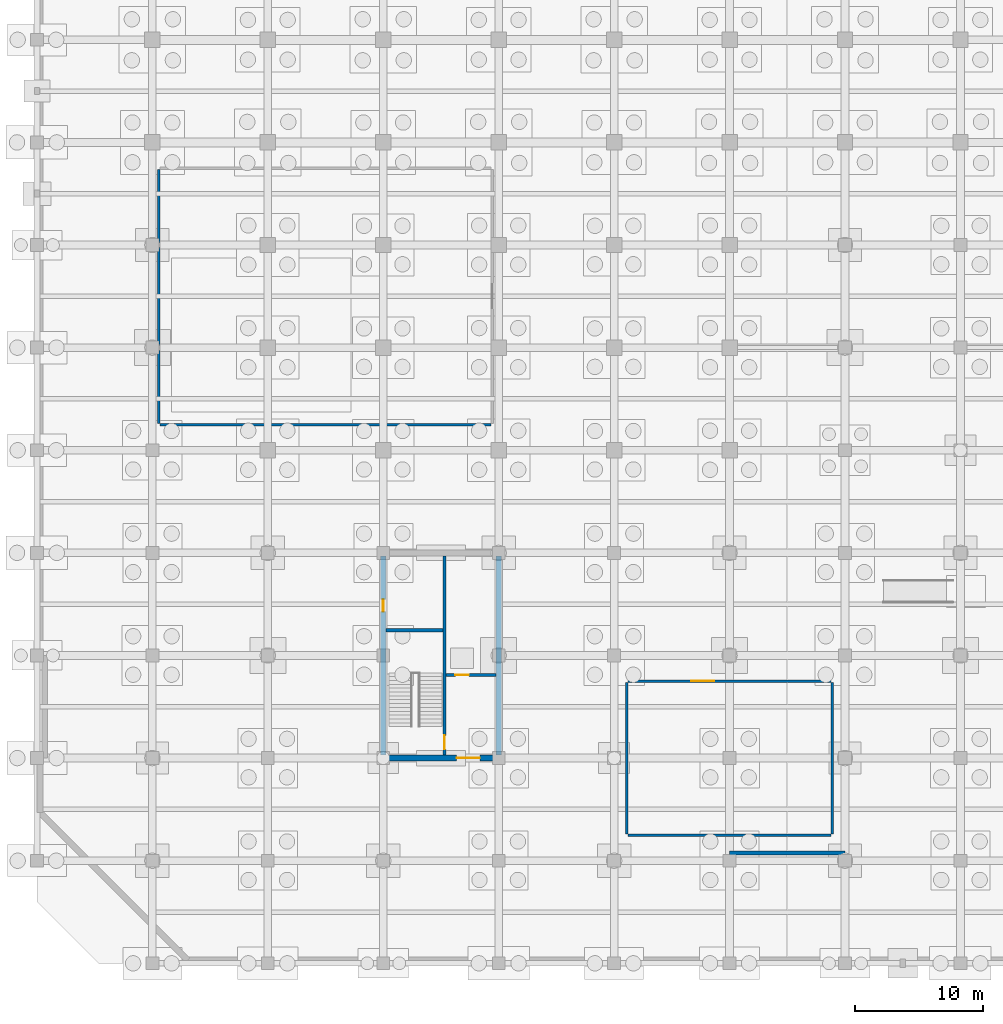
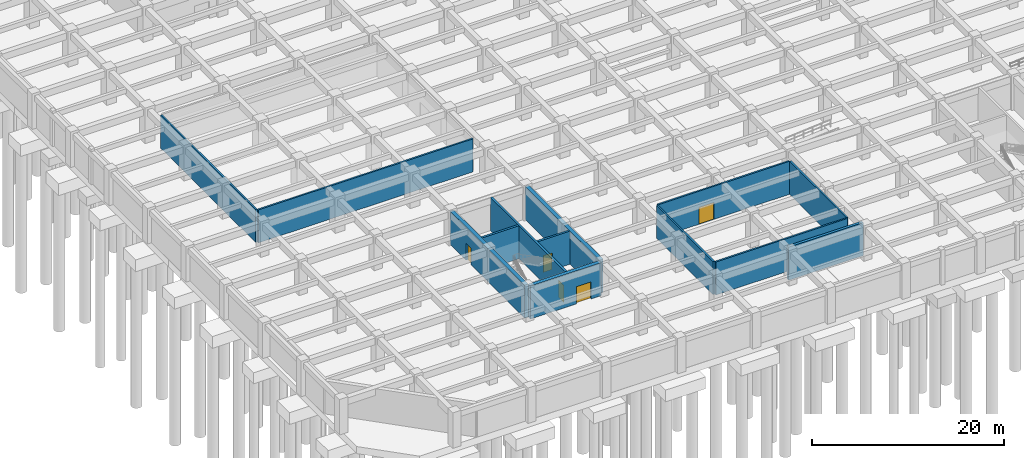
# One storey, part 17 of 31: 13 walls, 5 doors, 5 openings.
"""IFC4 building model written with IfcOpenShell, lengths in metres."""

from ifc_helpers import new_model, si_unit, direction, frame, frame_2d, origin, place, context, subcontext, project, spatial, rectangle, extrude, material, layer, layer_set, type_object, element, fill, save


model = new_model("IFC4")

# Units and contexts
model_context = context("Model", 3, precision=1e-05, world=origin(), true_north=direction((0.0, 1.0)))
body_context = subcontext(model_context, "Body", "Model", "MODEL_VIEW")
ifc_project = project(units=[si_unit("LENGTHUNIT", "METRE"), si_unit("AREAUNIT", "SQUARE_METRE"), si_unit("VOLUMEUNIT", "CUBIC_METRE"), si_unit("PLANEANGLEUNIT", "RADIAN"), si_unit("MASSUNIT", "GRAM", prefix="KILO")], contexts=[model_context])

# Site, building, storey
site_placement = place(None, origin())
site = spatial("IfcSite", under=ifc_project, at=site_placement, CompositionType="ELEMENT")
building_placement = place(site_placement, origin())
building = spatial("IfcBuilding", under=site, at=building_placement, Name="Zaverband Oceanarium and Marine Research Institute", CompositionType="ELEMENT")
storey_placement = place(building_placement, frame((0.0, 0.0, -9.0)))
storey = spatial("IfcBuildingStorey", under=building, at=storey_placement, Name="B2", CompositionType="ELEMENT", Elevation=-9.0)

# Wall, opening, door
ifc_material_1 = material(Name="Concrete C50/60", Category="concrete")
ifc_layer_1 = layer(ifc_material_1, 0.449951171875, Name="Concrete C50/60")
ifc_layer_set_1 = layer_set([ifc_layer_1], Name="Concrete C50/60")
wall_type_1 = type_object("IfcWallType", Name="CW-02", PredefinedType="SHEAR", material=ifc_layer_set_1)
wall_1_placement = place(storey_placement, frame((27.22509765625, 16.0, 0.0), z_axis=(0.0, 0.0, 1.0), x_axis=(1.0, 0.0, 0.0)))
wall_1 = element("IfcWall", 1, at=wall_1_placement, inside=storey, type_object=wall_type_1, Name="Structural shear wall CW-02", PredefinedType="SHEAR", context=body_context, shape_type="SweptSolid", body=[
    extrude(rectangle(XDim=8.5498046875, YDim=0.449951171875, at=frame_2d((4.27490234375, 0.0))), origin(), (0.0, 0.0, 1.0), 4.199951171875),
])
opening_1_placement = place(wall_1_placement, frame((5.5, 0.0, 0.0)))
opening_1 = element("IfcOpeningElement", 2, at=opening_1_placement, cuts=wall_1, Name="Opening FD-02", PredefinedType="OPENING", context=body_context, shape_type="SweptSolid", body=[
    extrude(rectangle(XDim=1.800048828125, YDim=2.179931640625, at=frame_2d((0.89990234375, 1.08984375))), frame((0.0, 0.23681640625, 0.0), z_axis=(0.0, -1.0, 0.0), x_axis=(1.0, 0.0, 0.0)), (0.0, 0.0, 1.0), 0.473876953125),
])
ifc_material_2 = material(Name="Steel S355", Category="steel")
door_type_1 = type_object("IfcDoorType", Name="FD-02", OperationType="DOUBLE_DOOR_SINGLE_SWING", PredefinedType="DOOR", material=ifc_material_2)
door_1_placement = place(opening_1_placement, origin())
door_1 = element("IfcDoor", 3, at=door_1_placement, inside=storey, type_object=door_type_1, Name="Protected lobby double fire door FD-02", OperationType="DOUBLE_DOOR_SINGLE_SWING", OverallHeight=2.179931640625, OverallWidth=1.800048828125, PredefinedType="DOOR", context=body_context, shape_type="SweptSolid", body=[
    extrude(rectangle(XDim=1.800048828125, YDim=2.179931640625, at=frame_2d((0.89990234375, 1.08984375))), frame((0.0, 0.02490234375, 0.0), z_axis=(0.0, -1.0, 0.0), x_axis=(1.0, 0.0, 0.0)), (0.0, 0.0, 1.0), 0.050048828125),
])
fill(opening_1, door_1)

wall_2_placement = place(storey_placement, frame((27.0, 16.22509765625, 0.0), z_axis=(0.0, 0.0, 1.0), x_axis=(0.0, 1.0, 0.0)))
wall_2 = element("IfcWall", 4, at=wall_2_placement, inside=storey, type_object=wall_type_1, Name="Structural shear wall CW-02", PredefinedType="SHEAR", context=body_context, shape_type="SweptSolid", body=[
    extrude(rectangle(XDim=15.5498046875, YDim=0.449951171875, at=frame_2d((7.77490234375, 0.0))), origin(), (0.0, 0.0, 1.0), 4.199951171875),
])
opening_2_placement = place(wall_2_placement, frame((11.199951171875, 0.0, 0.0)))
opening_2 = element("IfcOpeningElement", 5, at=opening_2_placement, cuts=wall_2, Name="Opening FD-03", PredefinedType="OPENING", context=body_context, shape_type="SweptSolid", body=[
    extrude(rectangle(XDim=0.949951171875, YDim=2.10009765625, at=frame_2d((0.47509765625, 1.050048828125))), frame((0.0, 0.23681640625, 0.0), z_axis=(0.0, -1.0, 0.0), x_axis=(1.0, 0.0, 0.0)), (0.0, 0.0, 1.0), 0.473876953125),
])
door_type_2 = type_object("IfcDoorType", Name="FD-03", OperationType="NOTDEFINED", PredefinedType="DOOR", material=ifc_material_2)
door_2_placement = place(opening_2_placement, origin())
door_2 = element("IfcDoor", 6, at=door_2_placement, inside=storey, type_object=door_type_2, Name="Service riser access fire door FD-03", OperationType="SINGLE_SWING_RIGHT", OverallHeight=2.10009765625, OverallWidth=0.949951171875, PredefinedType="DOOR", context=body_context, shape_type="SweptSolid", body=[
    extrude(rectangle(XDim=0.949951171875, YDim=2.10009765625, at=frame_2d((0.47509765625, 1.050048828125))), frame((0.0, 0.02490234375, 0.0), z_axis=(0.0, -1.0, 0.0), x_axis=(1.0, 0.0, 0.0)), (0.0, 0.0, 1.0), 0.050048828125),
])
fill(opening_2, door_2)

# Walls
wall_3_placement = place(storey_placement, frame((36.0, 16.22509765625, 0.0), z_axis=(0.0, 0.0, 1.0), x_axis=(0.0, 1.0, 0.0)))
element("IfcWall", 7, at=wall_3_placement, inside=storey, type_object=wall_type_1, Name="Structural shear wall CW-02", PredefinedType="SHEAR", context=body_context, shape_type="SweptSolid", body=[
    extrude(rectangle(XDim=15.5498046875, YDim=0.449951171875, at=frame_2d((7.77490234375, 0.0))), origin(), (0.0, 0.0, 1.0), 4.199951171875),
])
ifc_material_3 = material(Name="Fire-rated masonry compartment wall", Category="masonry")
ifc_layer_2 = layer(ifc_material_3, 0.199951171875, Name="Fire-rated masonry compartment wall")
ifc_layer_set_2 = layer_set([ifc_layer_2], Name="Fire-rated masonry compartment wall")
wall_type_2 = type_object("IfcWallType", Name="PT-200-FR", PredefinedType="PARTITIONING", material=ifc_layer_set_2)
wall_4_placement = place(storey_placement, frame((9.60009765625, 42.0, 0.0), z_axis=(0.0, 0.0, 1.0), x_axis=(1.0, 0.0, 0.0)))
element("IfcWall", 8, at=wall_4_placement, inside=storey, type_object=wall_type_2, Name="Internal partition PT-200-FR", PredefinedType="PARTITIONING", context=body_context, shape_type="SweptSolid", body=[
    extrude(rectangle(XDim=25.7998046875, YDim=0.199951171875, at=frame_2d((12.89990234375, 0.0))), origin(), (0.0, 0.0, 1.0), 4.199951171875),
])
wall_5_placement = place(storey_placement, frame((9.5, 42.10009765625, 0.0), z_axis=(0.0, 0.0, 1.0), x_axis=(0.0, 1.0, 0.0)))
element("IfcWall", 9, at=wall_5_placement, inside=storey, type_object=wall_type_2, Name="Internal partition PT-200-FR", PredefinedType="PARTITIONING", context=body_context, shape_type="SweptSolid", body=[
    extrude(rectangle(XDim=19.7998046875, YDim=0.199951171875, at=frame_2d((9.89990234375, 0.0))), origin(), (0.0, 0.0, 1.0), 4.199951171875),
])
wall_6_placement = place(storey_placement, frame((46.10009765625, 10.0, 0.0), z_axis=(0.0, 0.0, 1.0), x_axis=(1.0, 0.0, 0.0)))
element("IfcWall", 10, at=wall_6_placement, inside=storey, type_object=wall_type_2, Name="Internal partition PT-200-FR", PredefinedType="PARTITIONING", context=body_context, shape_type="SweptSolid", body=[
    extrude(rectangle(XDim=15.7998046875, YDim=0.199951171875, at=frame_2d((7.89990234375, 0.0))), origin(), (0.0, 0.0, 1.0), 4.199951171875),
])

# Wall, opening, door
wall_7_placement = place(storey_placement, frame((46.10009765625, 22.0, 0.0), z_axis=(0.0, 0.0, 1.0), x_axis=(1.0, 0.0, 0.0)))
wall_7 = element("IfcWall", 11, at=wall_7_placement, inside=storey, type_object=wall_type_2, Name="Internal partition PT-200-FR", PredefinedType="PARTITIONING", context=body_context, shape_type="SweptSolid", body=[
    extrude(rectangle(XDim=15.7998046875, YDim=0.199951171875, at=frame_2d((7.89990234375, 0.0))), origin(), (0.0, 0.0, 1.0), 4.199951171875),
])
opening_3_placement = place(wall_7_placement, frame((4.906982421875, 0.0, 0.0)))
opening_3 = element("IfcOpeningElement", 12, at=opening_3_placement, cuts=wall_7, Name="Opening ID-1780x2160", PredefinedType="OPENING", context=body_context, shape_type="SweptSolid", body=[
    extrude(rectangle(XDim=1.780029296875, YDim=2.159912109375, at=frame_2d((0.89013671875, 1.080078125))), frame((0.0, 0.11181640625, 0.0), z_axis=(0.0, -1.0, 0.0), x_axis=(1.0, 0.0, 0.0)), (0.0, 0.0, 1.0), 0.223876953125),
])
door_type_3 = type_object("IfcDoorType", Name="ID-1780x2160", OperationType="DOUBLE_DOOR_SINGLE_SWING", PredefinedType="DOOR", material=ifc_material_2)
door_3_placement = place(opening_3_placement, origin())
door_3 = element("IfcDoor", 13, at=door_3_placement, inside=storey, type_object=door_type_3, Name="Chiller plant double door ID-1780x2160", OperationType="DOUBLE_DOOR_SINGLE_SWING", OverallHeight=2.159912109375, OverallWidth=1.780029296875, PredefinedType="DOOR", context=body_context, shape_type="SweptSolid", body=[
    extrude(rectangle(XDim=1.780029296875, YDim=2.159912109375, at=frame_2d((0.89013671875, 1.080078125))), frame((0.0, 0.02490234375, 0.0), z_axis=(0.0, -1.0, 0.0), x_axis=(1.0, 0.0, 0.0)), (0.0, 0.0, 1.0), 0.050048828125),
])
fill(opening_3, door_3)

# Walls
for number, where, z_axis, x_axis, name in (
    (14, (46.0, 10.10009765625, 0.0), (0.0, 0.0, 1.0), (0.0, 1.0, 0.0), "Internal partition PT-200-FR"),
    (15, (62.0, 10.10009765625, 0.0), (0.0, 0.0, 1.0), (0.0, 1.0, 0.0), "Internal partition PT-200-FR"),
):
    element("IfcWall", number, at=place(storey_placement, frame(where, z_axis=z_axis, x_axis=x_axis)), inside=storey, type_object=wall_type_2, Name=name, PredefinedType="PARTITIONING", context=body_context, shape_type="SweptSolid", body=[
        extrude(rectangle(XDim=11.7998046875, YDim=0.199951171875, at=frame_2d((5.89990234375, 0.0))), origin(), (0.0, 0.0, 1.0), 4.199951171875),
    ])

# Wall, opening, door
ifc_layer_3 = layer(ifc_material_1, 0.25, Name="Concrete C50/60")
ifc_layer_set_3 = layer_set([ifc_layer_3], Name="Concrete C50/60")
wall_type_3 = type_object("IfcWallType", Name="PW-CORE-250", PredefinedType="SOLIDWALL", material=ifc_layer_set_3)
wall_8_placement = place(storey_placement, frame((31.77490234375, 16.22509765625, 0.0), z_axis=(0.0, 0.0, 1.0), x_axis=(0.0, 1.0, 0.0)))
wall_8 = element("IfcWall", 16, at=wall_8_placement, inside=storey, type_object=wall_type_3, Name="Structural concrete wall PW-CORE-250", PredefinedType="SOLIDWALL", context=body_context, shape_type="SweptSolid", body=[
    extrude(rectangle(XDim=15.5498046875, YDim=0.25, at=frame_2d((7.77490234375, 0.0))), origin(), (0.0, 0.0, 1.0), 4.199951171875),
])
opening_4_placement = place(wall_8_placement, frame((0.449951171875, 0.0, 0.0)))
opening_4 = element("IfcOpeningElement", 17, at=opening_4_placement, cuts=wall_8, Name="Opening FD-01", PredefinedType="OPENING", context=body_context, shape_type="SweptSolid", body=[
    extrude(rectangle(XDim=1.10009765625, YDim=2.14990234375, at=frame_2d((0.550048828125, 1.074951171875))), frame((0.0, 0.136962890625, 0.0), z_axis=(0.0, -1.0, 0.0), x_axis=(1.0, 0.0, 0.0)), (0.0, 0.0, 1.0), 0.27392578125),
])
door_type_4 = type_object("IfcDoorType", Name="FD-01", OperationType="NOTDEFINED", PredefinedType="DOOR", material=ifc_material_2)
door_4_placement = place(opening_4_placement, origin())
door_4 = element("IfcDoor", 18, at=door_4_placement, inside=storey, type_object=door_type_4, Name="Core stair / lobby fire door FD-01", OperationType="SINGLE_SWING_LEFT", OverallHeight=2.14990234375, OverallWidth=1.10009765625, PredefinedType="DOOR", context=body_context, shape_type="SweptSolid", body=[
    extrude(rectangle(XDim=1.10009765625, YDim=2.14990234375, at=frame_2d((0.550048828125, 1.074951171875))), frame((0.0, 0.02490234375, 0.0), z_axis=(0.0, -1.0, 0.0), x_axis=(1.0, 0.0, 0.0)), (0.0, 0.0, 1.0), 0.050048828125),
])
fill(opening_4, door_4)

# Wall
wall_9_placement = place(storey_placement, frame((27.22509765625, 25.97509765625, 0.0), z_axis=(0.0, 0.0, 1.0), x_axis=(1.0, 0.0, 0.0)))
element("IfcWall", 19, at=wall_9_placement, inside=storey, type_object=wall_type_3, Name="Structural concrete wall PW-CORE-250", PredefinedType="SOLIDWALL", context=body_context, shape_type="SweptSolid", body=[
    extrude(rectangle(XDim=4.419921875, YDim=0.25, at=frame_2d((2.2099609375, 0.0))), origin(), (0.0, 0.0, 1.0), 4.199951171875),
])

# Wall, opening, door
wall_10_placement = place(storey_placement, frame((31.905029296875, 22.47509765625, 0.0), z_axis=(0.0, 0.0, 1.0), x_axis=(1.0, 0.0, 0.0)))
wall_10 = element("IfcWall", 20, at=wall_10_placement, inside=storey, type_object=wall_type_3, Name="Structural concrete wall PW-CORE-250", PredefinedType="SOLIDWALL", context=body_context, shape_type="SweptSolid", body=[
    extrude(rectangle(XDim=3.869873046875, YDim=0.25, at=frame_2d((1.93505859375, 0.0))), origin(), (0.0, 0.0, 1.0), 4.199951171875),
])
opening_5_placement = place(wall_10_placement, frame((0.719970703125, 0.0, 0.0)))
opening_5 = element("IfcOpeningElement", 21, at=opening_5_placement, cuts=wall_10, Name="Opening LD-02", PredefinedType="OPENING", context=body_context, shape_type="SweptSolid", body=[
    extrude(rectangle(XDim=1.050048828125, YDim=2.1201171875, at=frame_2d((0.52490234375, 1.06005859375))), frame((0.0, 0.136962890625, 0.0), z_axis=(0.0, -1.0, 0.0), x_axis=(1.0, 0.0, 0.0)), (0.0, 0.0, 1.0), 0.27392578125),
])
door_type_5 = type_object("IfcDoorType", Name="LD-02", OperationType="DOUBLE_DOOR_SLIDING", PredefinedType="DOOR", material=ifc_material_2)
door_5_placement = place(opening_5_placement, origin())
door_5 = element("IfcDoor", 22, at=door_5_placement, inside=storey, type_object=door_type_5, Name="Passenger lift sliding landing door LD-02", OperationType="DOUBLE_DOOR_SLIDING", OverallHeight=2.1201171875, OverallWidth=1.050048828125, PredefinedType="DOOR", context=body_context, shape_type="SweptSolid", body=[
    extrude(rectangle(XDim=1.050048828125, YDim=2.1201171875, at=frame_2d((0.52490234375, 1.06005859375))), frame((0.0, 0.02490234375, 0.0), z_axis=(0.0, -1.0, 0.0), x_axis=(1.0, 0.0, 0.0)), (0.0, 0.0, 1.0), 0.050048828125),
])
fill(opening_5, door_5)

# Wall
ifc_material_4 = material(Name="Concrete C40/50", Category="concrete")
ifc_layer_4 = layer(ifc_material_4, 0.320068359375, Name="Concrete C40/50")
ifc_layer_set_4 = layer_set([ifc_layer_4], Name="Concrete C40/50")
wall_type_4 = type_object("IfcWallType", Name="SCW-02", PredefinedType="SOLIDWALL", material=ifc_layer_set_4)
wall_11_placement = place(storey_placement, frame((54.0, 8.60009765625, 0.0), z_axis=(0.0, 0.0, 1.0), x_axis=(1.0, 0.0, 0.0)))
element("IfcWall", 23, at=wall_11_placement, inside=storey, type_object=wall_type_4, Name="Structural concrete wall SCW-02", PredefinedType="SOLIDWALL", context=body_context, shape_type="SweptSolid", body=[
    extrude(rectangle(XDim=9.0, YDim=0.320068359375, at=frame_2d((4.5, 0.0))), origin(), (0.0, 0.0, 1.0), 4.199951171875),
])

save(model, "model.ifc")
